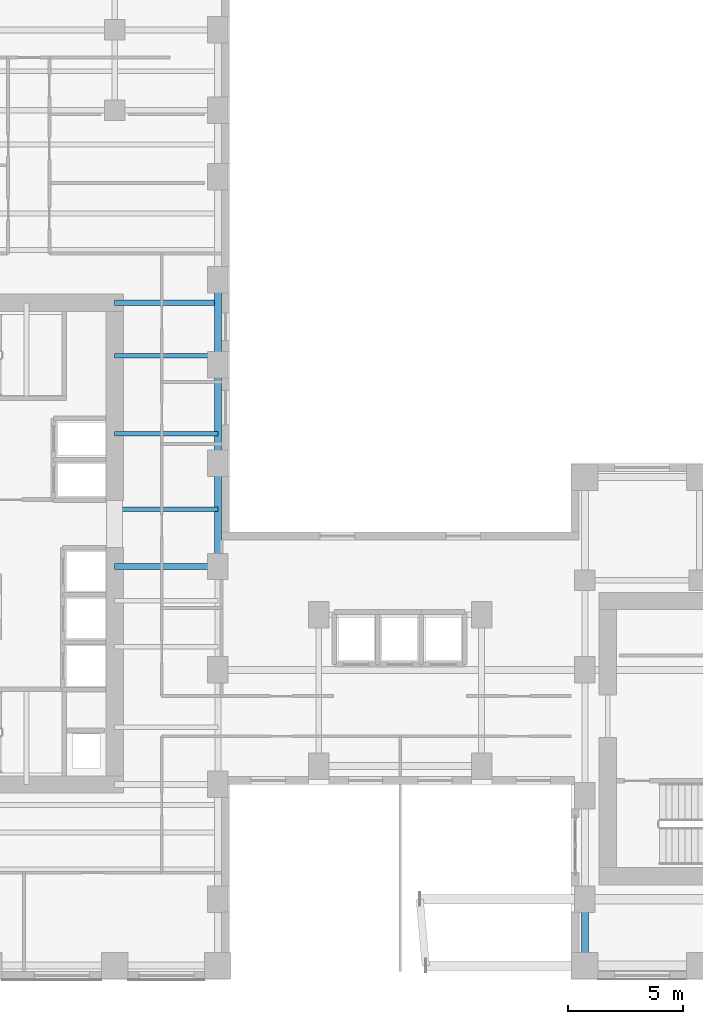
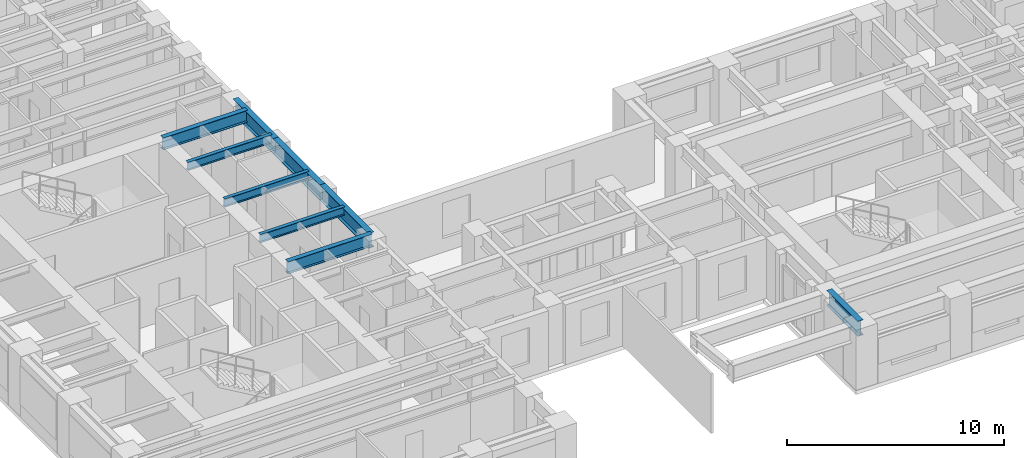
# One storey, part 2 of 14: 9 beams.
"""IFC4 building model written with IfcOpenShell, lengths in metres."""

import ifcopenshell
import ifcopenshell.guid

model = None  # the IFC model being written
_history = None  # IfcOwnerHistory: only IFC2X3 demands one
_inside = {}  # id of a spatial element -> (the spatial element, [elements in it])
_under = {}  # id of a project, library or spatial element -> (it, [spatial elements below it])
_declared = {}  # id of a project -> (the project, [libraries it declares])
_typed = {}  # id of a type object -> (the type object, [elements of that type])
_made_of = {}  # id of a material, layer set ... -> (it, [elements and type objects made of it])


def new_model(schema):
    """Start an empty IFC model of exactly this schema.

    Asked for "IFC4X3", IfcOpenShell would pick the latest addendum, in which some entities
    have other attributes; the version numbers below select the first issue.
    IFC2X3 requires an IfcOwnerHistory on every rooted entity: one is made here for all.
    """
    global model, _history
    if schema == "IFC4X3":
        model = ifcopenshell.file(schema_version=(4, 3, 0, 0))
    else:
        model = ifcopenshell.file(schema=schema)
    _inside.clear()
    _under.clear()
    _declared.clear()
    _typed.clear()
    _made_of.clear()
    _history = None
    if model.schema == "IFC2X3":
        org = make("IfcOrganization", Name="unknown")
        user = make(
            "IfcPersonAndOrganization",
            ThePerson=make("IfcPerson", FamilyName="unknown"),
            TheOrganization=org,
        )
        app = make(
            "IfcApplication",
            ApplicationDeveloper=org,
            Version="unknown",
            ApplicationFullName="unknown",
            ApplicationIdentifier="unknown",
        )
        _history = make(
            "IfcOwnerHistory",
            OwningUser=user,
            OwningApplication=app,
            ChangeAction="ADDED",
            CreationDate=0,
        )
    return model


def make(cls, **values):
    """One entity of the class cls with the attributes given. An attribute that is None is left unset."""
    return model.create_entity(
        cls, **{name: value for name, value in values.items() if value is not None}
    )


def rooted(cls, **values):
    """An entity with a GlobalId (a new one), such as an element, a storey or a relation."""
    return make(cls, GlobalId=ifcopenshell.guid.new(), OwnerHistory=_history, **values)


def si_unit(unit_type, name, prefix=None):
    """IfcSIUnit, for example si_unit("LENGTHUNIT", "METRE", prefix="MILLI")."""
    return make("IfcSIUnit", UnitType=unit_type, Prefix=prefix, Name=name)


def assignment(units):
    """IfcUnitAssignment: the units of a project."""
    return None if units is None else make("IfcUnitAssignment", Units=units)


def point(xyz):
    """IfcCartesianPoint."""
    return None if xyz is None else make("IfcCartesianPoint", Coordinates=xyz)


def direction(xyz):
    """IfcDirection."""
    return None if xyz is None else make("IfcDirection", DirectionRatios=xyz)


def frame(location, z_axis=None, x_axis=None):
    """IfcAxis2Placement3D, a coordinate frame: its origin and axes. An axis left out is left unset."""
    return make(
        "IfcAxis2Placement3D",
        Location=point(location),
        Axis=direction(z_axis),
        RefDirection=direction(x_axis),
    )


def frame_2d(location, x_axis=None):
    """IfcAxis2Placement2D, a coordinate frame in the plane: its origin and x axis."""
    return make(
        "IfcAxis2Placement2D", Location=point(location), RefDirection=direction(x_axis)
    )


def origin():
    """The frame at (0, 0, 0) with its axes left unset."""
    return frame((0.0, 0.0, 0.0))


def origin_2d():
    """The frame at (0, 0) in the plane with its x axis left unset."""
    return frame_2d((0.0, 0.0))


def place(relative_to, where):
    """IfcLocalPlacement: puts the frame where relative to a parent placement (None: the world)."""
    return make(
        "IfcLocalPlacement", PlacementRelTo=relative_to, RelativePlacement=where
    )


def context(
    kind, dimensions, precision=None, world=None, true_north=None, identifier=None
):
    """IfcGeometricRepresentationContext, for example the 3D "Model" context."""
    return make(
        "IfcGeometricRepresentationContext",
        ContextIdentifier=identifier,
        ContextType=kind,
        CoordinateSpaceDimension=dimensions,
        Precision=precision,
        WorldCoordinateSystem=world,
        TrueNorth=true_north,
    )


def subcontext(parent, identifier, kind, view, scale=None):
    """IfcGeometricRepresentationSubContext, for example "Body" below "Model"."""
    return make(
        "IfcGeometricRepresentationSubContext",
        ContextIdentifier=identifier,
        ContextType=kind,
        ParentContext=parent,
        TargetScale=scale,
        TargetView=view,
    )


def project(units=None, contexts=None):
    """IfcProject with its units and contexts."""
    return rooted(
        "IfcProject",
        Name="project",
        RepresentationContexts=contexts,
        UnitsInContext=assignment(units),
    )


def spatial(cls, under=None, at=None, **own):
    """A site, building, storey or space (cls), placed at a placement, below another one or the project."""
    s = rooted(cls, ObjectPlacement=at, **own)
    if under is not None:
        _under.setdefault(under.id(), (under, []))[1].append(s)
    return s


def profile(cls, at=None, kind="AREA", **sizes):
    """A parametric profile (cls). Its sizes go by their IFC names, for example OverallWidth=200.0."""
    return make(cls, ProfileType=kind, Position=at, **sizes)


def i_section(**sizes):
    """IfcIShapeProfileDef."""
    return profile("IfcIShapeProfileDef", **sizes)


def extrude(swept, where, along, depth):
    """IfcExtrudedAreaSolid: the profile swept, set in the frame where, extruded along a direction by depth."""
    return make(
        "IfcExtrudedAreaSolid",
        SweptArea=swept,
        Position=where,
        ExtrudedDirection=direction(along),
        Depth=depth,
    )


def shape(context_of_items, identifier, shape_type, items):
    """IfcShapeRepresentation: the items that make up one representation, for example the "Body"."""
    return make(
        "IfcShapeRepresentation",
        ContextOfItems=context_of_items,
        RepresentationIdentifier=identifier,
        RepresentationType=shape_type,
        Items=items,
    )


def source(mapping_origin, context_of_items, identifier, shape_type, items):
    """IfcRepresentationMap: a shape defined once, which mapped items show again and again."""
    return make(
        "IfcRepresentationMap",
        MappingOrigin=mapping_origin,
        MappedRepresentation=shape(context_of_items, identifier, shape_type, items),
    )


def transform(
    local_origin,
    x_axis=None,
    y_axis=None,
    z_axis=None,
    scale=None,
    scale2=None,
    scale3=None,
    uniform=True,
):
    """IfcCartesianTransformationOperator3D, or its non-uniform kind. x_axis, y_axis, z_axis: its Axis1, 2, 3."""
    if uniform:
        return make(
            "IfcCartesianTransformationOperator3D",
            Axis1=direction(x_axis),
            Axis2=direction(y_axis),
            LocalOrigin=point(local_origin),
            Scale=scale,
            Axis3=direction(z_axis),
        )
    return make(
        "IfcCartesianTransformationOperator3DnonUniform",
        Axis1=direction(x_axis),
        Axis2=direction(y_axis),
        LocalOrigin=point(local_origin),
        Scale=scale,
        Axis3=direction(z_axis),
        Scale2=scale2,
        Scale3=scale3,
    )


def mapped(mapping_source, mapping_target):
    """IfcMappedItem: shows the shape of a source again, moved by a transform."""
    return make(
        "IfcMappedItem", MappingSource=mapping_source, MappingTarget=mapping_target
    )


def material(Name=None, Category=None):
    """IfcMaterial."""
    return make("IfcMaterial", Name=Name, Category=Category)


def material_profile(
    of_material, cross_section, Name=None, Category=None, Priority=None
):
    """IfcMaterialProfile: a cross section and its material."""
    return make(
        "IfcMaterialProfile",
        Name=Name,
        Material=of_material,
        Profile=cross_section,
        Priority=Priority,
        Category=Category,
    )


def profile_set(profiles, Name=None, composite=None):
    """IfcMaterialProfileSet."""
    return make(
        "IfcMaterialProfileSet",
        Name=Name,
        MaterialProfiles=profiles,
        CompositeProfile=composite,
    )


def made_of(thing, what):
    """Note that an element or type object is made of a material, layer set ...; save() writes the relation."""
    if what is not None:
        _made_of.setdefault(what.id(), (what, []))[1].append(thing)
    return thing


def type_object(cls, material=None, **own):
    """A type object (cls), such as IfcWallType, which elements share."""
    return made_of(rooted(cls, **own), material)


def element(
    cls,
    number,
    at=None,
    inside=None,
    cuts=None,
    type_object=None,
    material=None,
    context=None,
    identifier="Body",
    shape_type=None,
    held_by="IfcProductDefinitionShape",
    body=None,
    shapes=None,
    **own,
):
    """One element of the class cls, such as IfcWall. Its Tag is "e" and its number.

    at: its placement. inside: the storey or other place that contains it. cuts: it is an
    opening in that element (IfcRelVoidsElement). A single representation is given by context,
    identifier, shape_type and body (its items); several are given by shapes. held_by: the class
    of the entity that holds the representations. save() writes the other relations.
    """
    e = rooted(cls, Tag="e%d" % number, ObjectPlacement=at, **own)
    if body is not None:
        shapes = [shape(context, identifier, shape_type, body)]
    if shapes is not None:
        e.Representation = make(held_by, Representations=shapes)
    if inside is not None:
        _inside.setdefault(inside.id(), (inside, []))[1].append(e)
    if cuts is not None:
        rooted(
            "IfcRelVoidsElement", RelatingBuildingElement=cuts, RelatedOpeningElement=e
        )
    if type_object is not None:
        _typed.setdefault(type_object.id(), (type_object, []))[1].append(e)
    return made_of(e, material)


def aggregate(whole, parts):
    """IfcRelAggregates: a whole, such as a stair, and the parts it consists of."""
    return rooted("IfcRelAggregates", RelatingObject=whole, RelatedObjects=parts)


def save(model, path):
    """Write the relations noted so far, then the file.

    IfcRelAggregates (storeys below a building ...), IfcRelContainedInSpatialStructure (elements
    in a storey), IfcRelDefinesByType, IfcRelAssociatesMaterial and IfcRelDeclares: one each for
    every whole, place, type object, material and project.
    """
    for whole, parts in _under.values():
        aggregate(whole, parts)
    for where, things in _inside.values():
        rooted(
            "IfcRelContainedInSpatialStructure",
            RelatedElements=things,
            RelatingStructure=where,
        )
    for kind, things in _typed.values():
        rooted("IfcRelDefinesByType", RelatedObjects=things, RelatingType=kind)
    for what, things in _made_of.values():
        rooted("IfcRelAssociatesMaterial", RelatedObjects=things, RelatingMaterial=what)
    for by, libraries in _declared.values():
        rooted("IfcRelDeclares", RelatingContext=by, RelatedDefinitions=libraries)
    model.write(path)


model = new_model("IFC4")

# Units and contexts
model_context = context("Model", 3, precision=1e-05, world=origin(), true_north=direction((0.0, 1.0)))
body_context = subcontext(model_context, "Body", "Model", "MODEL_VIEW")
ifc_project = project(units=[si_unit("LENGTHUNIT", "METRE"), si_unit("AREAUNIT", "SQUARE_METRE"), si_unit("VOLUMEUNIT", "CUBIC_METRE"), si_unit("PLANEANGLEUNIT", "RADIAN"), si_unit("MASSUNIT", "GRAM", prefix="KILO")], contexts=[model_context])

# Site, building, storey
site_placement = place(None, origin())
site = spatial("IfcSite", under=ifc_project, at=site_placement, CompositionType="ELEMENT")
building_placement = place(site_placement, origin())
building = spatial("IfcBuilding", under=site, at=building_placement, Name="Kharzan Plaza Tower", CompositionType="ELEMENT")
storey_placement = place(building_placement, frame((0.0, 0.0, 102.60009765625)))
storey = spatial("IfcBuildingStorey", under=building, at=storey_placement, Name="L27", CompositionType="ELEMENT", Elevation=102.60009765625)

# Beams
ifc_material = material(Name="Steel S355", Category="steel")
ifc_material_profile_1 = material_profile(ifc_material, i_section(OverallWidth=0.194091796875, OverallDepth=0.468994140625, WebThickness=0.011474609375, FlangeThickness=0.0205078125, at=origin_2d()), Name="W460x106")
ifc_profile_set_1 = profile_set([ifc_material_profile_1], Name="Steel S355")
beam_type_1 = type_object("IfcBeamType", Name="BM-JST460", PredefinedType="JOIST", material=ifc_profile_set_1)
shared_shape_1 = source(origin(), body_context, "Body", "SweptSolid", [
    extrude(i_section(OverallWidth=0.194091796875, OverallDepth=0.468994140625, WebThickness=0.011474609375, FlangeThickness=0.0205078125, at=origin_2d()), origin(), (0.0, 0.0, 1.0), 4.5),
])
for number, where, z_axis, x_axis, name in (
    (1, (14.5, 20.5, 3.1455078125), (1.0, 0.0, 0.0), (0.0, 1.0, 0.0), "L27 Wing A East Infill Joist 4"),
    (2, (14.5, 23.800048828125, 3.1455078125), (1.0, 0.0, 0.0), (0.0, 1.0, 0.0), "L27 Wing A East Infill Joist 5"),
    (3, (14.5, 27.199951171875, 3.1455078125), (1.0, 0.0, 0.0), (0.0, 1.0, 0.0), "L27 Wing A East Infill Joist 6"),
):
    element("IfcBeam", number, at=place(storey_placement, frame(where, z_axis=z_axis, x_axis=x_axis)), inside=storey, type_object=beam_type_1, Name=name, PredefinedType="JOIST", context=body_context, shape_type="MappedRepresentation", body=[
        mapped(shared_shape_1, transform((0.0, 0.0, 0.0), x_axis=(1.0, 0.0, 0.0), y_axis=(0.0, 1.0, 0.0), z_axis=(0.0, 0.0, 1.0))),
    ])
ifc_material_profile_2 = material_profile(ifc_material, i_section(OverallWidth=0.25390625, OverallDepth=0.68798828125, WebThickness=0.01318359375, FlangeThickness=0.02099609375, at=origin_2d()), Name="W690x152")
ifc_profile_set_2 = profile_set([ifc_material_profile_2], Name="Steel S355")
beam_type_2 = type_object("IfcBeamType", Name="BM-FG690B", PredefinedType="BEAM", material=ifc_profile_set_2)
shared_shape_2 = source(origin(), body_context, "Body", "SweptSolid", [
    extrude(i_section(OverallWidth=0.25390625, OverallDepth=0.68798828125, WebThickness=0.01318359375, FlangeThickness=0.02099609375, at=origin_2d()), origin(), (0.0, 0.0, 1.0), 4.5),
])
for number, where, z_axis, x_axis, name in (
    (4, (14.5, 18.0, 3.035888671875), (1.0, 0.0, 0.0), (0.0, 1.0, 0.0), "L27 Core-A East Floor Girder 2"),
    (5, (14.5, 29.5, 3.035888671875), (1.0, 0.0, 0.0), (0.0, 1.0, 0.0), "L27 Core-A East Floor Girder 3"),
):
    element("IfcBeam", number, at=place(storey_placement, frame(where, z_axis=z_axis, x_axis=x_axis)), inside=storey, type_object=beam_type_2, Name=name, PredefinedType="BEAM", context=body_context, shape_type="MappedRepresentation", body=[
        mapped(shared_shape_2, transform((0.0, 0.0, 0.0), x_axis=(1.0, 0.0, 0.0), y_axis=(0.0, 1.0, 0.0), z_axis=(0.0, 0.0, 1.0))),
    ])
ifc_material_profile_3 = material_profile(ifc_material, i_section(OverallWidth=0.299072265625, OverallDepth=0.845947265625, WebThickness=0.015380859375, FlangeThickness=0.0244140625, at=origin_2d()), Name="W840x210")
ifc_profile_set_3 = profile_set([ifc_material_profile_3], Name="Steel S355")
beam_type_3 = type_object("IfcBeamType", Name="BM-SP840B", PredefinedType="SPANDREL", material=ifc_profile_set_3)
shared_shape_3 = source(origin(), body_context, "Body", "SweptSolid", [
    extrude(i_section(OverallWidth=0.299072265625, OverallDepth=0.845947265625, WebThickness=0.015380859375, FlangeThickness=0.0244140625, at=origin_2d()), origin(), (0.0, 0.0, 1.0), 4.5),
])
beam_1_placement = place(storey_placement, frame((19.0, 18.0, 2.956787109375), z_axis=(0.0, 1.0, 0.0), x_axis=(-1.0, 0.0, 0.0)))
element("IfcBeam", 6, at=beam_1_placement, inside=storey, type_object=beam_type_3, Name="L27 Perimeter Tube Spandrel", PredefinedType="SPANDREL", context=body_context, shape_type="MappedRepresentation", body=[
    mapped(shared_shape_3, transform((0.0, 0.0, 0.0), x_axis=(1.0, 0.0, 0.0), y_axis=(0.0, 1.0, 0.0), z_axis=(0.0, 0.0, 1.0))),
])
shared_shape_4 = source(origin(), body_context, "Body", "SweptSolid", [
    extrude(i_section(OverallWidth=0.299072265625, OverallDepth=0.845947265625, WebThickness=0.015380859375, FlangeThickness=0.0244140625, at=origin_2d()), origin(), (0.0, 0.0, 1.0), 4.300048828125),
])
beam_2_placement = place(storey_placement, frame((19.0, 22.5, 2.956787109375), z_axis=(0.0, 1.0, 0.0), x_axis=(-1.0, 0.0, 0.0)))
element("IfcBeam", 7, at=beam_2_placement, inside=storey, type_object=beam_type_3, Name="L27 Perimeter Tube Spandrel", PredefinedType="SPANDREL", context=body_context, shape_type="MappedRepresentation", body=[
    mapped(shared_shape_4, transform((0.0, 0.0, 0.0), x_axis=(1.0, 0.0, 0.0), y_axis=(0.0, 1.0, 0.0), z_axis=(0.0, 0.0, 1.0))),
])
shared_shape_5 = source(origin(), body_context, "Body", "SweptSolid", [
    extrude(i_section(OverallWidth=0.299072265625, OverallDepth=0.845947265625, WebThickness=0.015380859375, FlangeThickness=0.0244140625, at=origin_2d()), origin(), (0.0, 0.0, 1.0), 3.699951171875),
])
beam_3_placement = place(storey_placement, frame((19.0, 26.800048828125, 2.956787109375), z_axis=(0.0, 1.0, 0.0), x_axis=(-1.0, 0.0, 0.0)))
element("IfcBeam", 8, at=beam_3_placement, inside=storey, type_object=beam_type_3, Name="L27 Perimeter Tube Spandrel", PredefinedType="SPANDREL", context=body_context, shape_type="MappedRepresentation", body=[
    mapped(shared_shape_5, transform((0.0, 0.0, 0.0), x_axis=(1.0, 0.0, 0.0), y_axis=(0.0, 1.0, 0.0), z_axis=(0.0, 0.0, 1.0))),
])
shared_shape_6 = source(origin(), body_context, "Body", "SweptSolid", [
    extrude(i_section(OverallWidth=0.299072265625, OverallDepth=0.845947265625, WebThickness=0.015380859375, FlangeThickness=0.0244140625, at=origin_2d()), origin(), (0.0, 0.0, 1.0), 2.89990234375),
])
beam_4_placement = place(storey_placement, frame((35.0, 0.60009765625, 2.956787109375), z_axis=(0.0, 1.0, 0.0), x_axis=(-1.0, 0.0, 0.0)))
element("IfcBeam", 9, at=beam_4_placement, inside=storey, type_object=beam_type_3, Name="L27 Perimeter Tube Spandrel", PredefinedType="SPANDREL", context=body_context, shape_type="MappedRepresentation", body=[
    mapped(shared_shape_6, transform((0.0, 0.0, 0.0), x_axis=(1.0, 0.0, 0.0), y_axis=(0.0, 1.0, 0.0), z_axis=(0.0, 0.0, 1.0))),
])

save(model, "model.ifc")
